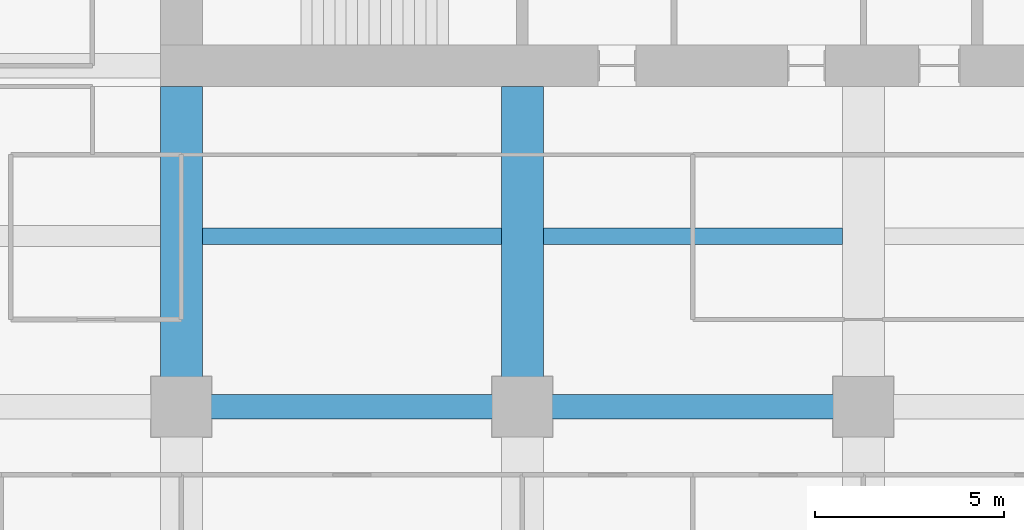
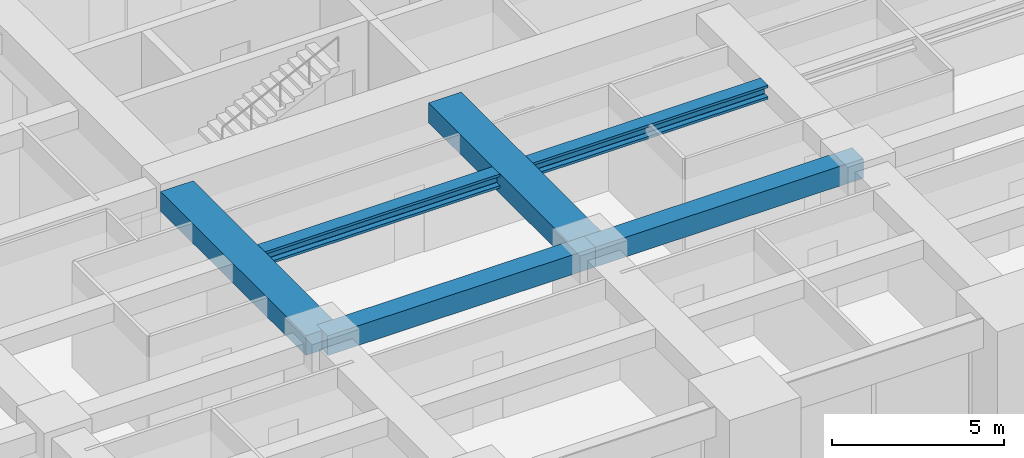
# One storey, part 8 of 34: 6 beams.
"""IFC4 building model written with IfcOpenShell, lengths in metres."""

from ifc_helpers import new_model, si_unit, direction, frame, origin, origin_2d, place, context, subcontext, project, spatial, rectangle, i_section, extrude, material, material_profile, profile_set, type_object, element, save


model = new_model("IFC4")

# Units and contexts
model_context = context("Model", 3, precision=1e-05, world=origin(), true_north=direction((0.0, 1.0)))
body_context = subcontext(model_context, "Body", "Model", "MODEL_VIEW")
ifc_project = project(units=[si_unit("LENGTHUNIT", "METRE"), si_unit("AREAUNIT", "SQUARE_METRE"), si_unit("VOLUMEUNIT", "CUBIC_METRE"), si_unit("PLANEANGLEUNIT", "RADIAN"), si_unit("MASSUNIT", "GRAM", prefix="KILO")], contexts=[model_context])

# Site, building, storey
site_placement = place(None, origin())
site = spatial("IfcSite", under=ifc_project, at=site_placement, CompositionType="ELEMENT")
building_placement = place(site_placement, origin())
building = spatial("IfcBuilding", under=site, at=building_placement, Name="Zorevar Civic Tower", CompositionType="ELEMENT")
storey_placement = place(building_placement, frame((0.0, 0.0, 170.199951171875)))
storey = spatial("IfcBuildingStorey", under=building, at=storey_placement, Name="L41", CompositionType="ELEMENT", Elevation=170.199951171875)

# Beams
ifc_material_1 = material(Name="Concrete C50/60", Category="concrete")
ifc_material_profile_1 = material_profile(ifc_material_1, rectangle(XDim=1.10009765625, YDim=0.699951171875, at=origin_2d()), Name="RC 1100x700")
ifc_profile_set_1 = profile_set([ifc_material_profile_1], Name="Concrete C50/60")
beam_type_1 = type_object("IfcBeamType", Name="Beam RC 1100x700", PredefinedType="BEAM", material=ifc_profile_set_1)
for number, where, z_axis, x_axis, name in (
    (1, (18.0, 9.0, 3.400146484375), (0.0, 1.0, 0.0), (-1.0, 0.0, 0.0), "Girder L42"),
    (2, (27.0, 9.0, 3.400146484375), (0.0, 1.0, 0.0), (-1.0, 0.0, 0.0), "Girder L42"),
):
    element("IfcBeam", number, at=place(storey_placement, frame(where, z_axis=z_axis, x_axis=x_axis)), inside=storey, type_object=beam_type_1, Name=name, PredefinedType="BEAM", context=body_context, shape_type="SweptSolid", body=[
        extrude(rectangle(XDim=1.10009765625, YDim=0.699951171875, at=origin_2d()), origin(), (0.0, 0.0, 1.0), 8.449951171875),
    ])
ifc_material_2 = material(Name="Concrete C50/60", Category="concrete")
ifc_material_profile_2 = material_profile(ifc_material_2, rectangle(XDim=0.64990234375, YDim=0.699951171875, at=origin_2d()), Name="RC 650x700")
ifc_profile_set_2 = profile_set([ifc_material_profile_2], Name="Concrete C50/60")
beam_type_2 = type_object("IfcBeamType", Name="Beam RC 650x700", PredefinedType="BEAM", material=ifc_profile_set_2)
for number, where, z_axis, x_axis, name in (
    (3, (18.0, 9.0, 3.400146484375), (1.0, 0.0, 0.0), (0.0, 1.0, 0.0), "Girder L42"),
    (4, (27.0, 9.0, 3.400146484375), (1.0, 0.0, 0.0), (0.0, 1.0, 0.0), "Girder L42"),
):
    element("IfcBeam", number, at=place(storey_placement, frame(where, z_axis=z_axis, x_axis=x_axis)), inside=storey, type_object=beam_type_2, Name=name, PredefinedType="BEAM", context=body_context, shape_type="SweptSolid", body=[
        extrude(rectangle(XDim=0.64990234375, YDim=0.699951171875, at=origin_2d()), origin(), (0.0, 0.0, 1.0), 9.0),
    ])
ifc_material_3 = material(Name="Steel S460M (HISTAR 460)", Category="steel")
ifc_material_profile_3 = material_profile(ifc_material_3, i_section(OverallWidth=0.431884765625, OverallDepth=0.498046875, WebThickness=0.0556640625, FlangeThickness=0.0888671875, FilletRadius=0.014892578125, at=origin_2d()), Name="HD 400x744")
ifc_profile_set_3 = profile_set([ifc_material_profile_3], Name="Steel S460M (HISTAR 460)")
beam_type_3 = type_object("IfcBeamType", Name="Core bay beam HD 400x744", PredefinedType="BEAM", material=ifc_profile_set_3)
for number, where, z_axis, x_axis, name in (
    (5, (18.550048828125, 13.5, 3.5009765625), (1.0, 0.0, 0.0), (0.0, 1.0, 0.0), "Secondary beam L42"),
    (6, (27.550048828125, 13.5, 3.5009765625), (1.0, 0.0, 0.0), (0.0, 1.0, 0.0), "Secondary beam L42"),
):
    element("IfcBeam", number, at=place(storey_placement, frame(where, z_axis=z_axis, x_axis=x_axis)), inside=storey, type_object=beam_type_3, Name=name, PredefinedType="BEAM", context=body_context, shape_type="SweptSolid", body=[
        extrude(i_section(OverallWidth=0.431884765625, OverallDepth=0.498046875, WebThickness=0.0556640625, FlangeThickness=0.0888671875, FilletRadius=0.014892578125, at=origin_2d()), origin(), (0.0, 0.0, 1.0), 7.89990234375),
    ])

save(model, "model.ifc")
